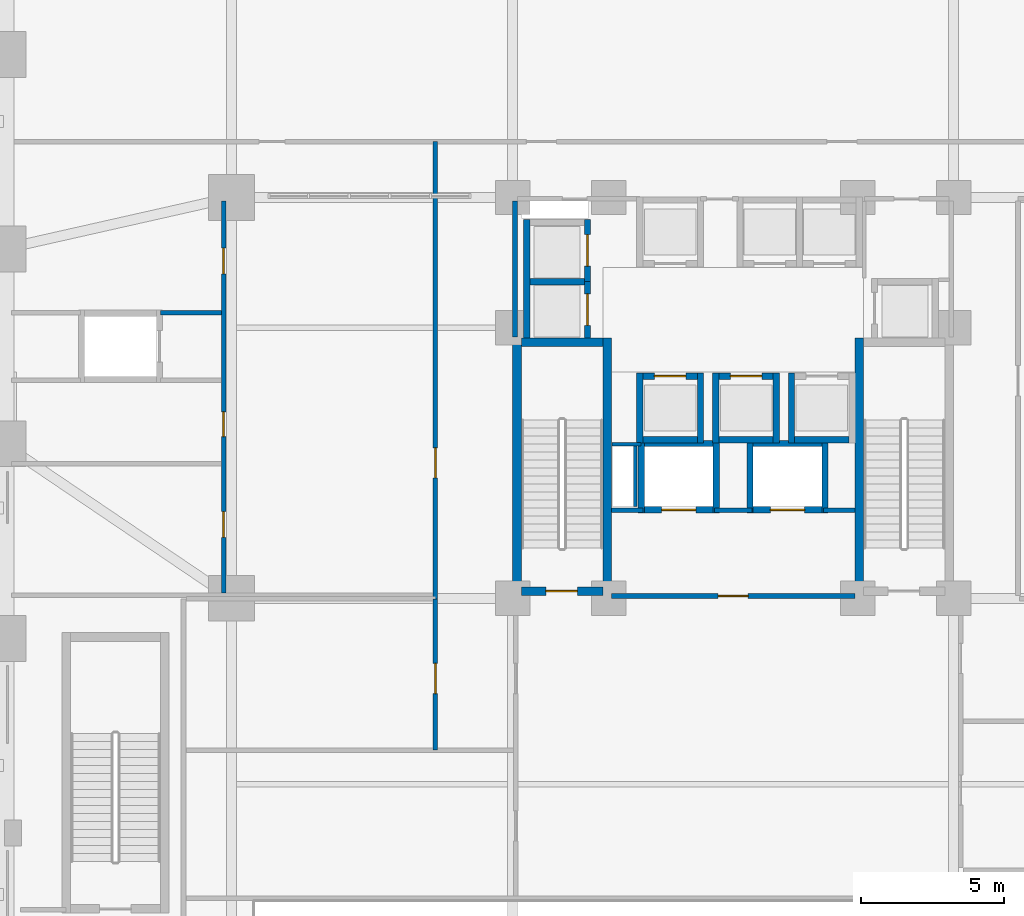
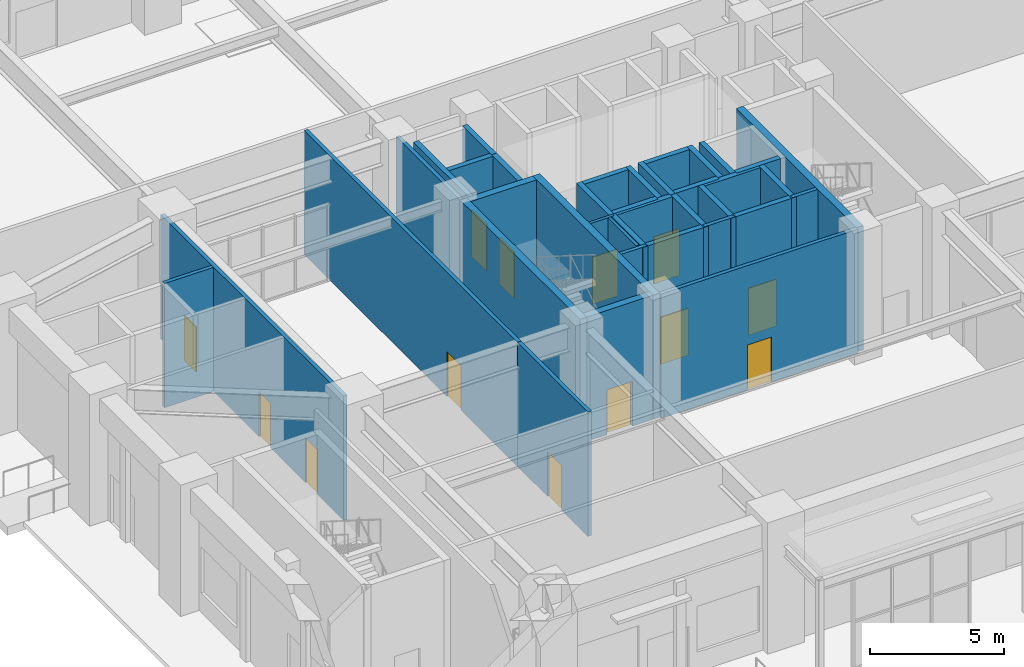
# One storey, part 14 of 24: 38 walls, 13 doors, 13 openings.
"""IFC4 building model written with IfcOpenShell, lengths in metres."""

from ifc_helpers import new_model, si_unit, derived_unit, direction, frame, frame_2d, origin, place, context, subcontext, project, spatial, rectangle, extrude, material, layer, layer_set, type_object, element, fill, save


model = new_model("IFC4")

# Units and contexts
model_context = context("Model", 3, precision=1e-05, world=origin(), true_north=direction((0.0, 1.0)))
body_context = subcontext(model_context, "Body", "Model", "MODEL_VIEW")
ifc_project = project(units=[si_unit("LENGTHUNIT", "METRE"), si_unit("AREAUNIT", "SQUARE_METRE"), si_unit("VOLUMEUNIT", "CUBIC_METRE"), si_unit("PLANEANGLEUNIT", "RADIAN"), si_unit("MASSUNIT", "GRAM", prefix="KILO"), derived_unit("THERMALTRANSMITTANCEUNIT", [(si_unit("MASSUNIT", "GRAM", prefix="KILO"), 1), (si_unit("TIMEUNIT", "SECOND"), -3), (si_unit("THERMODYNAMICTEMPERATUREUNIT", "KELVIN"), -1)])], contexts=[model_context])

# Site, building, storey
site_placement = place(None, origin())
site = spatial("IfcSite", under=ifc_project, at=site_placement, CompositionType="ELEMENT")
building_placement = place(site_placement, origin())
building = spatial("IfcBuilding", under=site, at=building_placement, Name="Korrvale Station Residences", CompositionType="ELEMENT")
storey_placement = place(building_placement, origin())
storey = spatial("IfcBuildingStorey", under=building, at=storey_placement, Name="L00", CompositionType="ELEMENT", Elevation=0.0)

# Walls
ifc_material_1 = material(Name="Concrete C70/85", Category="concrete")
ifc_layer_1 = layer(ifc_material_1, 0.300048828125, Name="Concrete C70/85")
ifc_layer_set_1 = layer_set([ifc_layer_1], Name="Concrete C70/85")
wall_type_1 = type_object("IfcWallType", Name="WAL-CORE-300-C70", PredefinedType="SHEAR", material=ifc_layer_set_1)
for number, where, z_axis, x_axis, name in (
    (1, (17.949951171875, 15.10009765625, 0.0), (0.0, 0.0, 1.0), (0.0, 1.0, 0.0), "L00 ST-1 Core Shear Wall West"),
    (2, (21.10009765625, 15.10009765625, 0.0), (0.0, 0.0, 1.0), (0.0, 1.0, 0.0), "L00 ST-1 Core Shear Wall East"),
):
    element("IfcWall", number, at=place(storey_placement, frame(where, z_axis=z_axis, x_axis=x_axis)), inside=storey, type_object=wall_type_1, Name=name, PredefinedType="SHEAR", context=body_context, shape_type="SweptSolid", body=[
        extrude(rectangle(XDim=9.0, YDim=0.300048828125, at=frame_2d((4.5, 0.0))), origin(), (0.0, 0.0, 1.0), 5.679931640625),
    ])
wall_1_placement = place(storey_placement, frame((18.10009765625, 23.949951171875, 0.0), z_axis=(0.0, 0.0, 1.0), x_axis=(1.0, 0.0, 0.0)))
element("IfcWall", 3, at=wall_1_placement, inside=storey, type_object=wall_type_1, Name="L00 ST-1 Core Shear Wall North", PredefinedType="SHEAR", context=body_context, shape_type="SweptSolid", body=[
    extrude(rectangle(XDim=2.849853515625, YDim=0.300048828125, at=frame_2d((1.4248046875, 0.0))), origin(), (0.0, 0.0, 1.0), 5.679931640625),
])

# Wall, opening, door
wall_2_placement = place(storey_placement, frame((18.10009765625, 15.25, 0.0), z_axis=(0.0, 0.0, 1.0), x_axis=(1.0, 0.0, 0.0)))
wall_2 = element("IfcWall", 4, at=wall_2_placement, inside=storey, type_object=wall_type_1, Name="L00 ST-1 Core Shear Wall South", PredefinedType="SHEAR", context=body_context, shape_type="SweptSolid", body=[
    extrude(rectangle(XDim=2.849853515625, YDim=0.300048828125, at=frame_2d((1.4248046875, 0.0))), origin(), (0.0, 0.0, 1.0), 5.679931640625),
])
opening_1_placement = place(wall_2_placement, frame((0.860107421875, 0.0, 0.0)))
opening_1 = element("IfcOpeningElement", 5, at=opening_1_placement, cuts=wall_2, Name="Opening SD-1100", PredefinedType="OPENING", context=body_context, shape_type="SweptSolid", body=[
    extrude(rectangle(XDim=1.10009765625, YDim=2.050048828125, at=frame_2d((0.550048828125, 1.02490234375))), frame((0.0, 0.16015625, 0.0), z_axis=(0.0, -1.0, 0.0), x_axis=(1.0, 0.0, 0.0)), (0.0, 0.0, 1.0), 0.320068359375),
])
ifc_material_2 = material(Name="Hollow-metal fire-rated stair door with closer", Category="steel")
door_type_1 = type_object("IfcDoorType", Name="DR-STAIR-1100", OperationType="NOTDEFINED", PredefinedType="DOOR", material=ifc_material_2)
door_1_placement = place(opening_1_placement, origin())
door_1 = element("IfcDoor", 6, at=door_1_placement, inside=storey, type_object=door_type_1, Name="L00 ST-1 Exit Stair Door", OperationType="SINGLE_SWING_LEFT", OverallHeight=2.050048828125, OverallWidth=1.10009765625, PredefinedType="DOOR", context=body_context, shape_type="SweptSolid", body=[
    extrude(rectangle(XDim=1.10009765625, YDim=2.050048828125, at=frame_2d((0.550048828125, 1.02490234375))), frame((0.0, 0.02490234375, 0.0), z_axis=(0.0, -1.0, 0.0), x_axis=(1.0, 0.0, 0.0)), (0.0, 0.0, 1.0), 0.050048828125),
])
fill(opening_1, door_1)

# Walls
wall_3_placement = place(storey_placement, frame((29.89990234375, 15.10009765625, 0.0), z_axis=(0.0, 0.0, 1.0), x_axis=(0.0, 1.0, 0.0)))
element("IfcWall", 7, at=wall_3_placement, inside=storey, type_object=wall_type_1, Name="L00 ST-2 Core Shear Wall West", PredefinedType="SHEAR", context=body_context, shape_type="SweptSolid", body=[
    extrude(rectangle(XDim=9.0, YDim=0.300048828125, at=frame_2d((4.5, 0.0))), origin(), (0.0, 0.0, 1.0), 5.679931640625),
])
ifc_material_3 = material(Name="Acoustic steel-stud gypsum board partition", Category="steel")
ifc_layer_2 = layer(ifc_material_3, 0.1201171875, Name="Acoustic steel-stud gypsum board partition")
ifc_layer_set_2 = layer_set([ifc_layer_2], Name="Acoustic steel-stud gypsum board partition")
wall_type_2 = type_object("IfcWallType", Name="WAL-PART-125", PredefinedType="PARTITIONING", material=ifc_layer_set_2)
wall_4_placement = place(storey_placement, frame((22.080078125, 18.199951171875, 0.0), z_axis=(0.0, 0.0, 1.0), x_axis=(0.0, 1.0, 0.0)))
element("IfcWall", 8, at=wall_4_placement, inside=storey, type_object=wall_type_2, Name="L00 Core Partition CW-RSWT", PredefinedType="PARTITIONING", context=body_context, shape_type="SweptSolid", body=[
    extrude(rectangle(XDim=2.1201171875, YDim=0.1201171875, at=frame_2d((1.06005859375, 0.0))), origin(), (0.0, 0.0, 1.0), 5.679931640625),
])
wall_5_placement = place(storey_placement, frame((22.280029296875, 20.3798828125, 0.0), z_axis=(0.0, 0.0, 1.0), x_axis=(-1.0, 0.0, 0.0)))
element("IfcWall", 9, at=wall_5_placement, inside=storey, type_object=wall_type_2, Name="L00 Core Partition CW-RSWT-N", PredefinedType="PARTITIONING", context=body_context, shape_type="SweptSolid", body=[
    extrude(rectangle(XDim=1.02001953125, YDim=0.1201171875, at=frame_2d((0.510009765625, 0.0))), origin(), (0.0, 0.0, 1.0), 5.679931640625),
])

# Wall, opening, door
ifc_material_4 = material(Name="Fire-rated twin-stud gypsum and mineral wool shaftwall assembly", Category="gypsum")
ifc_layer_3 = layer(ifc_material_4, 0.159912109375, Name="Fire-rated twin-stud gypsum and mineral wool shaftwall assembly")
ifc_layer_set_3 = layer_set([ifc_layer_3], Name="Fire-rated twin-stud gypsum and mineral wool shaftwall assembly")
wall_type_3 = type_object("IfcWallType", Name="WAL-PART-200", PredefinedType="PARTITIONING", material=ifc_layer_set_3)
wall_6_placement = place(storey_placement, frame((21.25, 15.080078125, 0.0), z_axis=(0.0, 0.0, 1.0), x_axis=(1.0, 0.0, 0.0)))
wall_6 = element("IfcWall", 10, at=wall_6_placement, inside=storey, type_object=wall_type_3, Name="L00 Core Partition CW-FFL-S", PredefinedType="PARTITIONING", context=body_context, shape_type="SweptSolid", body=[
    extrude(rectangle(XDim=8.5, YDim=0.159912109375, at=frame_2d((4.25, 0.0))), origin(), (0.0, 0.0, 1.0), 5.679931640625),
])
opening_2_placement = place(wall_6_placement, frame((3.72509765625, 0.0, 0.0)))
opening_2 = element("IfcOpeningElement", 11, at=opening_2_placement, cuts=wall_6, Name="Opening FD-1050", PredefinedType="OPENING", context=body_context, shape_type="SweptSolid", body=[
    extrude(rectangle(XDim=1.050048828125, YDim=2.050048828125, at=frame_2d((0.52490234375, 1.02490234375))), frame((0.0, 0.08984375, 0.0), z_axis=(0.0, -1.0, 0.0), x_axis=(1.0, 0.0, 0.0)), (0.0, 0.0, 1.0), 0.179931640625),
])
ifc_material_5 = material(Name="Fire-rated mineral-core timber lobby door", Category="wood")
door_type_2 = type_object("IfcDoorType", Name="DR-CORE-1050", OperationType="NOTDEFINED", PredefinedType="DOOR", material=ifc_material_5)
door_2_placement = place(opening_2_placement, origin())
door_2 = element("IfcDoor", 12, at=door_2_placement, inside=storey, type_object=door_type_2, Name="L00 Firefighting Lobby Entry Door", OperationType="SINGLE_SWING_LEFT", OverallHeight=2.050048828125, OverallWidth=1.050048828125, PredefinedType="DOOR", context=body_context, shape_type="SweptSolid", body=[
    extrude(rectangle(XDim=1.050048828125, YDim=2.050048828125, at=frame_2d((0.52490234375, 1.02490234375))), frame((0.0, 0.02490234375, 0.0), z_axis=(0.0, -1.0, 0.0), x_axis=(1.0, 0.0, 0.0)), (0.0, 0.0, 1.0), 0.050048828125),
])
fill(opening_2, door_2)

# Walls
wall_7_placement = place(storey_placement, frame((21.25, 18.080078125, 0.0), z_axis=(0.0, 0.0, 1.0), x_axis=(1.0, 0.0, 0.0)))
element("IfcWall", 13, at=wall_7_placement, inside=storey, type_object=wall_type_3, Name="L00 Core Partition CW-FFL-N1", PredefinedType="PARTITIONING", context=body_context, shape_type="SweptSolid", body=[
    extrude(rectangle(XDim=1.10009765625, YDim=0.159912109375, at=frame_2d((0.550048828125, 0.0))), origin(), (0.0, 0.0, 1.0), 5.679931640625),
])
wall_8_placement = place(storey_placement, frame((24.85009765625, 18.080078125, 0.0), z_axis=(0.0, 0.0, 1.0), x_axis=(1.0, 0.0, 0.0)))
element("IfcWall", 14, at=wall_8_placement, inside=storey, type_object=wall_type_3, Name="L00 Core Partition CW-FFL-N2", PredefinedType="PARTITIONING", context=body_context, shape_type="SweptSolid", body=[
    extrude(rectangle(XDim=1.2998046875, YDim=0.159912109375, at=frame_2d((0.64990234375, 0.0))), origin(), (0.0, 0.0, 1.0), 5.679931640625),
])
wall_9_placement = place(storey_placement, frame((28.64990234375, 18.080078125, 0.0), z_axis=(0.0, 0.0, 1.0), x_axis=(1.0, 0.0, 0.0)))
element("IfcWall", 15, at=wall_9_placement, inside=storey, type_object=wall_type_3, Name="L00 Core Partition CW-FFL-N3", PredefinedType="PARTITIONING", context=body_context, shape_type="SweptSolid", body=[
    extrude(rectangle(XDim=1.10009765625, YDim=0.159912109375, at=frame_2d((0.550048828125, 0.0))), origin(), (0.0, 0.0, 1.0), 5.679931640625),
])
wall_10_placement = place(storey_placement, frame((17.8798828125, 24.1201171875, 0.0), z_axis=(0.0, 0.0, 1.0), x_axis=(0.0, 1.0, 0.0)))
element("IfcWall", 16, at=wall_10_placement, inside=storey, type_object=wall_type_3, Name="L00 Core Partition CW-W-N", PredefinedType="PARTITIONING", context=body_context, shape_type="SweptSolid", body=[
    extrude(rectangle(XDim=4.759765625, YDim=0.159912109375, at=frame_2d((2.3798828125, 0.0))), origin(), (0.0, 0.0, 1.0), 5.679931640625),
])

# Wall, opening, door
wall_11_placement = place(storey_placement, frame((15.10009765625, 9.699951171875, 0.0), z_axis=(0.0, 0.0, 1.0), x_axis=(0.0, 1.0, 0.0)))
wall_11 = element("IfcWall", 17, at=wall_11_placement, inside=storey, type_object=wall_type_3, Name="L00 Interior Partition W-RW2-E", PredefinedType="PARTITIONING", context=body_context, shape_type="SweptSolid", body=[
    extrude(rectangle(XDim=5.280029296875, YDim=0.159912109375, at=frame_2d((2.64013671875, 0.0))), origin(), (0.0, 0.0, 1.0), 5.679931640625),
])
opening_3_placement = place(wall_11_placement, frame((1.97509765625, 0.0, 0.0)))
opening_3 = element("IfcOpeningElement", 18, at=opening_3_placement, cuts=wall_11, Name="Opening FD-1050", PredefinedType="OPENING", context=body_context, shape_type="SweptSolid", body=[
    extrude(rectangle(XDim=1.050048828125, YDim=2.050048828125, at=frame_2d((0.52490234375, 1.02490234375))), frame((0.0, 0.08984375, 0.0), z_axis=(0.0, -1.0, 0.0), x_axis=(1.0, 0.0, 0.0)), (0.0, 0.0, 1.0), 0.179931640625),
])
door_3_placement = place(opening_3_placement, origin())
door_3 = element("IfcDoor", 19, at=door_3_placement, inside=storey, type_object=door_type_2, Name="L00 West Retail Shop 2 Door", OperationType="SINGLE_SWING_LEFT", OverallHeight=2.050048828125, OverallWidth=1.050048828125, PredefinedType="DOOR", context=body_context, shape_type="SweptSolid", body=[
    extrude(rectangle(XDim=1.050048828125, YDim=2.050048828125, at=frame_2d((0.52490234375, 1.02490234375))), frame((0.0, 0.02490234375, 0.0), z_axis=(0.0, -1.0, 0.0), x_axis=(1.0, 0.0, 0.0)), (0.0, 0.0, 1.0), 0.050048828125),
])
fill(opening_3, door_3)

wall_12_placement = place(storey_placement, frame((15.10009765625, 14.97998046875, 0.0), z_axis=(0.0, 0.0, 1.0), x_axis=(0.0, 1.0, 0.0)))
wall_12 = element("IfcWall", 20, at=wall_12_placement, inside=storey, type_object=wall_type_3, Name="L00 Interior Partition W-CW", PredefinedType="PARTITIONING", context=body_context, shape_type="SweptSolid", body=[
    extrude(rectangle(XDim=15.969970703125, YDim=0.159912109375, at=frame_2d((7.98486328125, 0.0))), origin(), (0.0, 0.0, 1.0), 5.679931640625),
])
opening_4_placement = place(wall_12_placement, frame((4.22509765625, 0.0, 0.0)))
opening_4 = element("IfcOpeningElement", 21, at=opening_4_placement, cuts=wall_12, Name="Opening FD-1050", PredefinedType="OPENING", context=body_context, shape_type="SweptSolid", body=[
    extrude(rectangle(XDim=1.050048828125, YDim=2.050048828125, at=frame_2d((0.52490234375, 1.02490234375))), frame((0.0, 0.08984375, 0.0), z_axis=(0.0, -1.0, 0.0), x_axis=(1.0, 0.0, 0.0)), (0.0, 0.0, 1.0), 0.179931640625),
])
door_4_placement = place(opening_4_placement, origin())
door_4 = element("IfcDoor", 22, at=door_4_placement, inside=storey, type_object=door_type_2, Name="L00 West Retail Arcade Door", OperationType="SINGLE_SWING_RIGHT", OverallHeight=2.050048828125, OverallWidth=1.050048828125, PredefinedType="DOOR", context=body_context, shape_type="SweptSolid", body=[
    extrude(rectangle(XDim=1.050048828125, YDim=2.050048828125, at=frame_2d((0.52490234375, 1.02490234375))), frame((0.0, 0.02490234375, 0.0), z_axis=(0.0, -1.0, 0.0), x_axis=(1.0, 0.0, 0.0)), (0.0, 0.0, 1.0), 0.050048828125),
])
fill(opening_4, door_4)

# Wall, openings, doors
wall_13_placement = place(storey_placement, frame((7.699951171875, 15.179931640625, 0.0), z_axis=(0.0, 0.0, 1.0), x_axis=(0.0, 1.0, 0.0)))
wall_13 = element("IfcWall", 23, at=wall_13_placement, inside=storey, type_object=wall_type_3, Name="L00 Interior Partition W-WC-E", PredefinedType="PARTITIONING", context=body_context, shape_type="SweptSolid", body=[
    extrude(rectangle(XDim=13.699951171875, YDim=0.159912109375, at=frame_2d((6.85009765625, 0.0))), origin(), (0.0, 0.0, 1.0), 5.679931640625),
])
opening_5_placement = place(wall_13_placement, frame((1.949951171875, 0.0, 0.0)))
opening_5 = element("IfcOpeningElement", 24, at=opening_5_placement, cuts=wall_13, Name="Opening DI-900", PredefinedType="OPENING", context=body_context, shape_type="SweptSolid", body=[
    extrude(rectangle(XDim=0.89990234375, YDim=2.050048828125, at=frame_2d((0.449951171875, 1.02490234375))), frame((0.0, 0.08984375, 0.0), z_axis=(0.0, -1.0, 0.0), x_axis=(1.0, 0.0, 0.0)), (0.0, 0.0, 1.0), 0.179931640625),
])
opening_6_placement = place(wall_13_placement, frame((5.469970703125, 0.0, 0.0)))
opening_6 = element("IfcOpeningElement", 25, at=opening_6_placement, cuts=wall_13, Name="Opening DB-860", PredefinedType="OPENING", context=body_context, shape_type="SweptSolid", body=[
    extrude(rectangle(XDim=0.860107421875, YDim=2.050048828125, at=frame_2d((0.43017578125, 1.02490234375))), frame((0.0, 0.08984375, 0.0), z_axis=(0.0, -1.0, 0.0), x_axis=(1.0, 0.0, 0.0)), (0.0, 0.0, 1.0), 0.179931640625),
])
opening_7_placement = place(wall_13_placement, frame((11.14990234375, 0.0, 0.0)))
opening_7 = element("IfcOpeningElement", 26, at=opening_7_placement, cuts=wall_13, Name="Opening DI-900", PredefinedType="OPENING", context=body_context, shape_type="SweptSolid", body=[
    extrude(rectangle(XDim=0.89990234375, YDim=2.050048828125, at=frame_2d((0.449951171875, 1.02490234375))), frame((0.0, 0.08984375, 0.0), z_axis=(0.0, -1.0, 0.0), x_axis=(1.0, 0.0, 0.0)), (0.0, 0.0, 1.0), 0.179931640625),
])
ifc_material_6 = material(Name="Moisture-resistant solid-core bathroom door", Category="timber")
door_type_3 = type_object("IfcDoorType", Name="DR-BATH-860", OperationType="NOTDEFINED", PredefinedType="DOOR", material=ifc_material_6)
door_5_placement = place(opening_6_placement, origin())
door_5 = element("IfcDoor", 27, at=door_5_placement, inside=storey, type_object=door_type_3, Name="L00 Universal Washroom Door", OperationType="SINGLE_SWING_LEFT", OverallHeight=2.050048828125, OverallWidth=0.860107421875, PredefinedType="DOOR", context=body_context, shape_type="SweptSolid", body=[
    extrude(rectangle(XDim=0.860107421875, YDim=2.050048828125, at=frame_2d((0.43017578125, 1.02490234375))), frame((0.0, 0.02490234375, 0.0), z_axis=(0.0, -1.0, 0.0), x_axis=(1.0, 0.0, 0.0)), (0.0, 0.0, 1.0), 0.050048828125),
])
fill(opening_6, door_5)
ifc_material_7 = material(Name="Painted solid-core timber interior room door", Category="wood")
door_type_4 = type_object("IfcDoorType", Name="DR-INT-900", OperationType="NOTDEFINED", PredefinedType="DOOR", material=ifc_material_7)
door_6_placement = place(opening_5_placement, origin())
door_6 = element("IfcDoor", 28, at=door_6_placement, inside=storey, type_object=door_type_4, Name="L00 Public Washrooms Door", OperationType="SINGLE_SWING_RIGHT", OverallHeight=2.050048828125, OverallWidth=0.89990234375, PredefinedType="DOOR", context=body_context, shape_type="SweptSolid", body=[
    extrude(rectangle(XDim=0.89990234375, YDim=2.050048828125, at=frame_2d((0.449951171875, 1.02490234375))), frame((0.0, 0.02490234375, 0.0), z_axis=(0.0, -1.0, 0.0), x_axis=(1.0, 0.0, 0.0)), (0.0, 0.0, 1.0), 0.050048828125),
])
fill(opening_5, door_6)
door_7_placement = place(opening_7_placement, origin())
door_7 = element("IfcDoor", 29, at=door_7_placement, inside=storey, type_object=door_type_4, Name="L00 Espresso Cafe Door", OperationType="SINGLE_SWING_RIGHT", OverallHeight=2.050048828125, OverallWidth=0.89990234375, PredefinedType="DOOR", context=body_context, shape_type="SweptSolid", body=[
    extrude(rectangle(XDim=0.89990234375, YDim=2.050048828125, at=frame_2d((0.449951171875, 1.02490234375))), frame((0.0, 0.02490234375, 0.0), z_axis=(0.0, -1.0, 0.0), x_axis=(1.0, 0.0, 0.0)), (0.0, 0.0, 1.0), 0.050048828125),
])
fill(opening_7, door_7)

# Walls
wall_14_placement = place(storey_placement, frame((5.5, 24.97998046875, 0.0), z_axis=(0.0, 0.0, 1.0), x_axis=(1.0, 0.0, 0.0)))
element("IfcWall", 30, at=wall_14_placement, inside=storey, type_object=wall_type_3, Name="L00 Interior Partition W-WC-M3B", PredefinedType="PARTITIONING", context=body_context, shape_type="SweptSolid", body=[
    extrude(rectangle(XDim=2.1201171875, YDim=0.159912109375, at=frame_2d((1.06005859375, 0.0))), origin(), (0.0, 0.0, 1.0), 5.679931640625),
])
ifc_layer_4 = layer(ifc_material_1, 0.219970703125, Name="Concrete C70/85")
ifc_layer_set_4 = layer_set([ifc_layer_4], Name="Concrete C70/85")
wall_type_4 = type_object("IfcWallType", Name="WAL-SHAFT-220-C70", PredefinedType="SHEAR", material=ifc_layer_set_4)
wall_15_placement = place(storey_placement, frame((22.35009765625, 20.5400390625, 0.0), z_axis=(0.0, 0.0, 1.0), x_axis=(1.0, 0.0, 0.0)))
element("IfcWall", 31, at=wall_15_placement, inside=storey, type_object=wall_type_4, Name="L00 Elevator PM-1 Hoistway Wall South", PredefinedType="SHEAR", context=body_context, shape_type="SweptSolid", body=[
    extrude(rectangle(XDim=1.89990234375, YDim=0.219970703125, at=frame_2d((0.949951171875, 0.0))), origin(), (0.0, 0.0, 1.0), 5.679931640625),
])

# Wall, opening, door
wall_16_placement = place(storey_placement, frame((22.35009765625, 22.760009765625, 0.0), z_axis=(0.0, 0.0, 1.0), x_axis=(1.0, 0.0, 0.0)))
wall_16 = element("IfcWall", 32, at=wall_16_placement, inside=storey, type_object=wall_type_4, Name="L00 Elevator PM-1 Hoistway Wall North", PredefinedType="SHEAR", context=body_context, shape_type="SweptSolid", body=[
    extrude(rectangle(XDim=1.89990234375, YDim=0.219970703125, at=frame_2d((0.949951171875, 0.0))), origin(), (0.0, 0.0, 1.0), 5.679931640625),
])
opening_8_placement = place(wall_16_placement, frame((0.39990234375, 0.0, 0.0)))
opening_8 = element("IfcOpeningElement", 33, at=opening_8_placement, cuts=wall_16, Name="Opening LD-1100", PredefinedType="OPENING", context=body_context, shape_type="SweptSolid", body=[
    extrude(rectangle(XDim=1.10009765625, YDim=2.14990234375, at=frame_2d((0.550048828125, 1.074951171875))), frame((0.0, 0.1201171875, 0.0), z_axis=(0.0, -1.0, 0.0), x_axis=(1.0, 0.0, 0.0)), (0.0, 0.0, 1.0), 0.239990234375),
])
ifc_material_8 = material(Name="Brushed stainless-steel elevator landing sliding door", Category="steel")
door_type_5 = type_object("IfcDoorType", Name="DR-LIFT-1100", OperationType="SLIDING_TO_LEFT", PredefinedType="DOOR", material=ifc_material_8)
door_8_placement = place(opening_8_placement, origin())
door_8 = element("IfcDoor", 34, at=door_8_placement, inside=storey, type_object=door_type_5, Name="L00 Elevator PM-1 Sliding Landing Door", OperationType="SLIDING_TO_LEFT", OverallHeight=2.14990234375, OverallWidth=1.10009765625, PredefinedType="DOOR", context=body_context, shape_type="SweptSolid", body=[
    extrude(rectangle(XDim=1.10009765625, YDim=2.14990234375, at=frame_2d((0.550048828125, 1.074951171875))), frame((0.0, 0.02490234375, 0.0), z_axis=(0.0, -1.0, 0.0), x_axis=(1.0, 0.0, 0.0)), (0.0, 0.0, 1.0), 0.050048828125),
])
fill(opening_8, door_8)

# Walls
for number, where, z_axis, x_axis, name in (
    (35, (22.239990234375, 20.429931640625, 0.0), (0.0, 0.0, 1.0), (0.0, 1.0, 0.0), "L00 Elevator PM-1 Hoistway Wall West"),
    (36, (24.360107421875, 20.429931640625, 0.0), (0.0, 0.0, 1.0), (0.0, 1.0, 0.0), "L00 Elevator PM-1 Hoistway Wall East"),
):
    element("IfcWall", number, at=place(storey_placement, frame(where, z_axis=z_axis, x_axis=x_axis)), inside=storey, type_object=wall_type_4, Name=name, PredefinedType="SHEAR", context=body_context, shape_type="SweptSolid", body=[
        extrude(rectangle(XDim=2.440185546875, YDim=0.219970703125, at=frame_2d((1.22021484375, 0.0))), origin(), (0.0, 0.0, 1.0), 5.679931640625),
    ])
wall_17_placement = place(storey_placement, frame((25.0, 20.5400390625, 0.0), z_axis=(0.0, 0.0, 1.0), x_axis=(1.0, 0.0, 0.0)))
element("IfcWall", 37, at=wall_17_placement, inside=storey, type_object=wall_type_4, Name="L00 Elevator PM-2 Hoistway Wall South", PredefinedType="SHEAR", context=body_context, shape_type="SweptSolid", body=[
    extrude(rectangle(XDim=1.89990234375, YDim=0.219970703125, at=frame_2d((0.949951171875, 0.0))), origin(), (0.0, 0.0, 1.0), 5.679931640625),
])

# Wall, opening, door
wall_18_placement = place(storey_placement, frame((25.0, 22.760009765625, 0.0), z_axis=(0.0, 0.0, 1.0), x_axis=(1.0, 0.0, 0.0)))
wall_18 = element("IfcWall", 38, at=wall_18_placement, inside=storey, type_object=wall_type_4, Name="L00 Elevator PM-2 Hoistway Wall North", PredefinedType="SHEAR", context=body_context, shape_type="SweptSolid", body=[
    extrude(rectangle(XDim=1.89990234375, YDim=0.219970703125, at=frame_2d((0.949951171875, 0.0))), origin(), (0.0, 0.0, 1.0), 5.679931640625),
])
opening_9_placement = place(wall_18_placement, frame((0.39990234375, 0.0, 0.0)))
opening_9 = element("IfcOpeningElement", 39, at=opening_9_placement, cuts=wall_18, Name="Opening LD-1100", PredefinedType="OPENING", context=body_context, shape_type="SweptSolid", body=[
    extrude(rectangle(XDim=1.10009765625, YDim=2.14990234375, at=frame_2d((0.550048828125, 1.074951171875))), frame((0.0, 0.1201171875, 0.0), z_axis=(0.0, -1.0, 0.0), x_axis=(1.0, 0.0, 0.0)), (0.0, 0.0, 1.0), 0.239990234375),
])
door_9_placement = place(opening_9_placement, origin())
door_9 = element("IfcDoor", 40, at=door_9_placement, inside=storey, type_object=door_type_5, Name="L00 Elevator PM-2 Sliding Landing Door", OperationType="SLIDING_TO_LEFT", OverallHeight=2.14990234375, OverallWidth=1.10009765625, PredefinedType="DOOR", context=body_context, shape_type="SweptSolid", body=[
    extrude(rectangle(XDim=1.10009765625, YDim=2.14990234375, at=frame_2d((0.550048828125, 1.074951171875))), frame((0.0, 0.02490234375, 0.0), z_axis=(0.0, -1.0, 0.0), x_axis=(1.0, 0.0, 0.0)), (0.0, 0.0, 1.0), 0.050048828125),
])
fill(opening_9, door_9)

# Walls
for number, where, z_axis, x_axis, name in (
    (41, (24.889892578125, 20.429931640625, 0.0), (0.0, 0.0, 1.0), (0.0, 1.0, 0.0), "L00 Elevator PM-2 Hoistway Wall West"),
    (42, (27.010009765625, 20.429931640625, 0.0), (0.0, 0.0, 1.0), (0.0, 1.0, 0.0), "L00 Elevator PM-2 Hoistway Wall East"),
):
    element("IfcWall", number, at=place(storey_placement, frame(where, z_axis=z_axis, x_axis=x_axis)), inside=storey, type_object=wall_type_4, Name=name, PredefinedType="SHEAR", context=body_context, shape_type="SweptSolid", body=[
        extrude(rectangle(XDim=2.440185546875, YDim=0.219970703125, at=frame_2d((1.22021484375, 0.0))), origin(), (0.0, 0.0, 1.0), 5.679931640625),
    ])
wall_19_placement = place(storey_placement, frame((27.64990234375, 20.5400390625, 0.0), z_axis=(0.0, 0.0, 1.0), x_axis=(1.0, 0.0, 0.0)))
element("IfcWall", 43, at=wall_19_placement, inside=storey, type_object=wall_type_4, Name="L00 Elevator PM-3 Hoistway Wall South", PredefinedType="SHEAR", context=body_context, shape_type="SweptSolid", body=[
    extrude(rectangle(XDim=1.900146484375, YDim=0.219970703125, at=frame_2d((0.9501953125, 0.0))), origin(), (0.0, 0.0, 1.0), 5.679931640625),
])
wall_20_placement = place(storey_placement, frame((27.5400390625, 20.429931640625, 0.0), z_axis=(0.0, 0.0, 1.0), x_axis=(0.0, 1.0, 0.0)))
element("IfcWall", 44, at=wall_20_placement, inside=storey, type_object=wall_type_4, Name="L00 Elevator PM-3 Hoistway Wall West", PredefinedType="SHEAR", context=body_context, shape_type="SweptSolid", body=[
    extrude(rectangle(XDim=2.440185546875, YDim=0.219970703125, at=frame_2d((1.22021484375, 0.0))), origin(), (0.0, 0.0, 1.0), 5.679931640625),
])
wall_21_placement = place(storey_placement, frame((18.2900390625, 24.10009765625, 0.0), z_axis=(0.0, 0.0, 1.0), x_axis=(0.0, 1.0, 0.0)))
element("IfcWall", 45, at=wall_21_placement, inside=storey, type_object=wall_type_4, Name="L00 Elevator PH-1 Hoistway Wall West", PredefinedType="SHEAR", context=body_context, shape_type="SweptSolid", body=[
    extrude(rectangle(XDim=4.139892578125, YDim=0.219970703125, at=frame_2d((2.06982421875, 0.0))), origin(), (0.0, 0.0, 1.0), 5.679931640625),
])

# Wall, opening, door
wall_22_placement = place(storey_placement, frame((20.409912109375, 24.10009765625, 0.0), z_axis=(0.0, 0.0, 1.0), x_axis=(0.0, 1.0, 0.0)))
wall_22 = element("IfcWall", 46, at=wall_22_placement, inside=storey, type_object=wall_type_4, Name="L00 Elevator PH-1 Hoistway Wall East", PredefinedType="SHEAR", context=body_context, shape_type="SweptSolid", body=[
    extrude(rectangle(XDim=1.9599609375, YDim=0.219970703125, at=frame_2d((0.97998046875, 0.0))), origin(), (0.0, 0.0, 1.0), 5.679931640625),
])
opening_10_placement = place(wall_22_placement, frame((0.429931640625, 0.0, 0.0)))
opening_10 = element("IfcOpeningElement", 47, at=opening_10_placement, cuts=wall_22, Name="Opening LD-1100", PredefinedType="OPENING", context=body_context, shape_type="SweptSolid", body=[
    extrude(rectangle(XDim=1.10009765625, YDim=2.14990234375, at=frame_2d((0.550048828125, 1.074951171875))), frame((0.0, 0.1201171875, 0.0), z_axis=(0.0, -1.0, 0.0), x_axis=(1.0, 0.0, 0.0)), (0.0, 0.0, 1.0), 0.239990234375),
])
door_10_placement = place(opening_10_placement, origin())
door_10 = element("IfcDoor", 48, at=door_10_placement, inside=storey, type_object=door_type_5, Name="L00 Elevator PH-1 Sliding Landing Door", OperationType="SLIDING_TO_LEFT", OverallHeight=2.14990234375, OverallWidth=1.10009765625, PredefinedType="DOOR", context=body_context, shape_type="SweptSolid", body=[
    extrude(rectangle(XDim=1.10009765625, YDim=2.14990234375, at=frame_2d((0.550048828125, 1.074951171875))), frame((0.0, 0.02490234375, 0.0), z_axis=(0.0, -1.0, 0.0), x_axis=(1.0, 0.0, 0.0)), (0.0, 0.0, 1.0), 0.050048828125),
])
fill(opening_10, door_10)

# Wall
wall_23_placement = place(storey_placement, frame((18.39990234375, 26.06005859375, 0.0), z_axis=(0.0, 0.0, 1.0), x_axis=(1.0, 0.0, 0.0)))
element("IfcWall", 49, at=wall_23_placement, inside=storey, type_object=wall_type_4, Name="L00 Elevator PH-2 Hoistway Wall South", PredefinedType="SHEAR", context=body_context, shape_type="SweptSolid", body=[
    extrude(rectangle(XDim=1.900146484375, YDim=0.219970703125, at=frame_2d((0.9501953125, 0.0))), origin(), (0.0, 0.0, 1.0), 5.679931640625),
])

# Wall, opening, door
wall_24_placement = place(storey_placement, frame((20.409912109375, 26.06005859375, 0.0), z_axis=(0.0, 0.0, 1.0), x_axis=(0.0, 1.0, 0.0)))
wall_24 = element("IfcWall", 50, at=wall_24_placement, inside=storey, type_object=wall_type_4, Name="L00 Elevator PH-2 Hoistway Wall East", PredefinedType="SHEAR", context=body_context, shape_type="SweptSolid", body=[
    extrude(rectangle(XDim=2.179931640625, YDim=0.219970703125, at=frame_2d((1.08984375, 0.0))), origin(), (0.0, 0.0, 1.0), 5.679931640625),
])
opening_11_placement = place(wall_24_placement, frame((0.5400390625, 0.0, 0.0)))
opening_11 = element("IfcOpeningElement", 51, at=opening_11_placement, cuts=wall_24, Name="Opening LD-1100", PredefinedType="OPENING", context=body_context, shape_type="SweptSolid", body=[
    extrude(rectangle(XDim=1.10009765625, YDim=2.14990234375, at=frame_2d((0.550048828125, 1.074951171875))), frame((0.0, 0.1201171875, 0.0), z_axis=(0.0, -1.0, 0.0), x_axis=(1.0, 0.0, 0.0)), (0.0, 0.0, 1.0), 0.239990234375),
])
door_11_placement = place(opening_11_placement, origin())
door_11 = element("IfcDoor", 52, at=door_11_placement, inside=storey, type_object=door_type_5, Name="L00 Elevator PH-2 Sliding Landing Door", OperationType="SLIDING_TO_LEFT", OverallHeight=2.14990234375, OverallWidth=1.10009765625, PredefinedType="DOOR", context=body_context, shape_type="SweptSolid", body=[
    extrude(rectangle(XDim=1.10009765625, YDim=2.14990234375, at=frame_2d((0.550048828125, 1.074951171875))), frame((0.0, 0.02490234375, 0.0), z_axis=(0.0, -1.0, 0.0), x_axis=(1.0, 0.0, 0.0)), (0.0, 0.0, 1.0), 0.050048828125),
])
fill(opening_11, door_11)

wall_25_placement = place(storey_placement, frame((22.39990234375, 18.090087890625, 0.0), z_axis=(0.0, 0.0, 1.0), x_axis=(1.0, 0.0, 0.0)))
wall_25 = element("IfcWall", 53, at=wall_25_placement, inside=storey, type_object=wall_type_4, Name="L00 Elevator FFL-1 Hoistway Wall South", PredefinedType="SHEAR", context=body_context, shape_type="SweptSolid", body=[
    extrude(rectangle(XDim=2.400146484375, YDim=0.219970703125, at=frame_2d((1.2001953125, 0.0))), origin(), (0.0, 0.0, 1.0), 5.679931640625),
])
opening_12_placement = place(wall_25_placement, frame((0.60009765625, 0.0, 0.0)))
opening_12 = element("IfcOpeningElement", 54, at=opening_12_placement, cuts=wall_25, Name="Opening LD-FF1200", PredefinedType="OPENING", context=body_context, shape_type="SweptSolid", body=[
    extrude(rectangle(XDim=1.199951171875, YDim=2.14990234375, at=frame_2d((0.60009765625, 1.074951171875))), frame((0.0, 0.1201171875, 0.0), z_axis=(0.0, -1.0, 0.0), x_axis=(1.0, 0.0, 0.0)), (0.0, 0.0, 1.0), 0.239990234375),
])
ifc_material_9 = material(Name="Stainless-steel firefighter elevator landing sliding door", Category="steel")
door_type_6 = type_object("IfcDoorType", Name="DR-LIFT-FF1200", OperationType="SLIDING_TO_LEFT", PredefinedType="DOOR", material=ifc_material_9)
door_12_placement = place(opening_12_placement, origin())
door_12 = element("IfcDoor", 55, at=door_12_placement, inside=storey, type_object=door_type_6, Name="L00 Elevator FFL-1 Sliding Landing Door", OperationType="SLIDING_TO_LEFT", OverallHeight=2.14990234375, OverallWidth=1.199951171875, PredefinedType="DOOR", context=body_context, shape_type="SweptSolid", body=[
    extrude(rectangle(XDim=1.199951171875, YDim=2.14990234375, at=frame_2d((0.60009765625, 1.074951171875))), frame((0.0, 0.02490234375, 0.0), z_axis=(0.0, -1.0, 0.0), x_axis=(1.0, 0.0, 0.0)), (0.0, 0.0, 1.0), 0.050048828125),
])
fill(opening_12, door_12)

# Walls
wall_26_placement = place(storey_placement, frame((22.39990234375, 20.409912109375, 0.0), z_axis=(0.0, 0.0, 1.0), x_axis=(1.0, 0.0, 0.0)))
element("IfcWall", 56, at=wall_26_placement, inside=storey, type_object=wall_type_4, Name="L00 Elevator FFL-1 Hoistway Wall North", PredefinedType="SHEAR", context=body_context, shape_type="SweptSolid", body=[
    extrude(rectangle(XDim=2.400146484375, YDim=0.219970703125, at=frame_2d((1.2001953125, 0.0))), origin(), (0.0, 0.0, 1.0), 5.679931640625),
])
for number, where, z_axis, x_axis, name in (
    (57, (22.2900390625, 17.97998046875, 0.0), (0.0, 0.0, 1.0), (0.0, 1.0, 0.0), "L00 Elevator FFL-1 Hoistway Wall West"),
    (58, (24.909912109375, 17.97998046875, 0.0), (0.0, 0.0, 1.0), (0.0, 1.0, 0.0), "L00 Elevator FFL-1 Hoistway Wall East"),
):
    element("IfcWall", number, at=place(storey_placement, frame(where, z_axis=z_axis, x_axis=x_axis)), inside=storey, type_object=wall_type_4, Name=name, PredefinedType="SHEAR", context=body_context, shape_type="SweptSolid", body=[
        extrude(rectangle(XDim=2.5400390625, YDim=0.219970703125, at=frame_2d((1.27001953125, 0.0))), origin(), (0.0, 0.0, 1.0), 5.679931640625),
    ])

# Wall, opening, door
wall_27_placement = place(storey_placement, frame((26.199951171875, 18.090087890625, 0.0), z_axis=(0.0, 0.0, 1.0), x_axis=(1.0, 0.0, 0.0)))
wall_27 = element("IfcWall", 59, at=wall_27_placement, inside=storey, type_object=wall_type_4, Name="L00 Elevator FFL-2 Hoistway Wall South", PredefinedType="SHEAR", context=body_context, shape_type="SweptSolid", body=[
    extrude(rectangle(XDim=2.400146484375, YDim=0.219970703125, at=frame_2d((1.2001953125, 0.0))), origin(), (0.0, 0.0, 1.0), 5.679931640625),
])
opening_13_placement = place(wall_27_placement, frame((0.60009765625, 0.0, 0.0)))
opening_13 = element("IfcOpeningElement", 60, at=opening_13_placement, cuts=wall_27, Name="Opening LD-FF1200", PredefinedType="OPENING", context=body_context, shape_type="SweptSolid", body=[
    extrude(rectangle(XDim=1.199951171875, YDim=2.14990234375, at=frame_2d((0.60009765625, 1.074951171875))), frame((0.0, 0.1201171875, 0.0), z_axis=(0.0, -1.0, 0.0), x_axis=(1.0, 0.0, 0.0)), (0.0, 0.0, 1.0), 0.239990234375),
])
door_13_placement = place(opening_13_placement, origin())
door_13 = element("IfcDoor", 61, at=door_13_placement, inside=storey, type_object=door_type_6, Name="L00 Elevator FFL-2 Sliding Landing Door", OperationType="SLIDING_TO_LEFT", OverallHeight=2.14990234375, OverallWidth=1.199951171875, PredefinedType="DOOR", context=body_context, shape_type="SweptSolid", body=[
    extrude(rectangle(XDim=1.199951171875, YDim=2.14990234375, at=frame_2d((0.60009765625, 1.074951171875))), frame((0.0, 0.02490234375, 0.0), z_axis=(0.0, -1.0, 0.0), x_axis=(1.0, 0.0, 0.0)), (0.0, 0.0, 1.0), 0.050048828125),
])
fill(opening_13, door_13)

# Walls
wall_28_placement = place(storey_placement, frame((26.199951171875, 20.409912109375, 0.0), z_axis=(0.0, 0.0, 1.0), x_axis=(1.0, 0.0, 0.0)))
element("IfcWall", 62, at=wall_28_placement, inside=storey, type_object=wall_type_4, Name="L00 Elevator FFL-2 Hoistway Wall North", PredefinedType="SHEAR", context=body_context, shape_type="SweptSolid", body=[
    extrude(rectangle(XDim=2.400146484375, YDim=0.219970703125, at=frame_2d((1.2001953125, 0.0))), origin(), (0.0, 0.0, 1.0), 5.679931640625),
])
for number, where, z_axis, x_axis, name in (
    (63, (26.090087890625, 17.97998046875, 0.0), (0.0, 0.0, 1.0), (0.0, 1.0, 0.0), "L00 Elevator FFL-2 Hoistway Wall West"),
    (64, (28.7099609375, 17.97998046875, 0.0), (0.0, 0.0, 1.0), (0.0, 1.0, 0.0), "L00 Elevator FFL-2 Hoistway Wall East"),
):
    element("IfcWall", number, at=place(storey_placement, frame(where, z_axis=z_axis, x_axis=x_axis)), inside=storey, type_object=wall_type_4, Name=name, PredefinedType="SHEAR", context=body_context, shape_type="SweptSolid", body=[
        extrude(rectangle(XDim=2.5400390625, YDim=0.219970703125, at=frame_2d((1.27001953125, 0.0))), origin(), (0.0, 0.0, 1.0), 5.679931640625),
    ])

save(model, "model.ifc")
